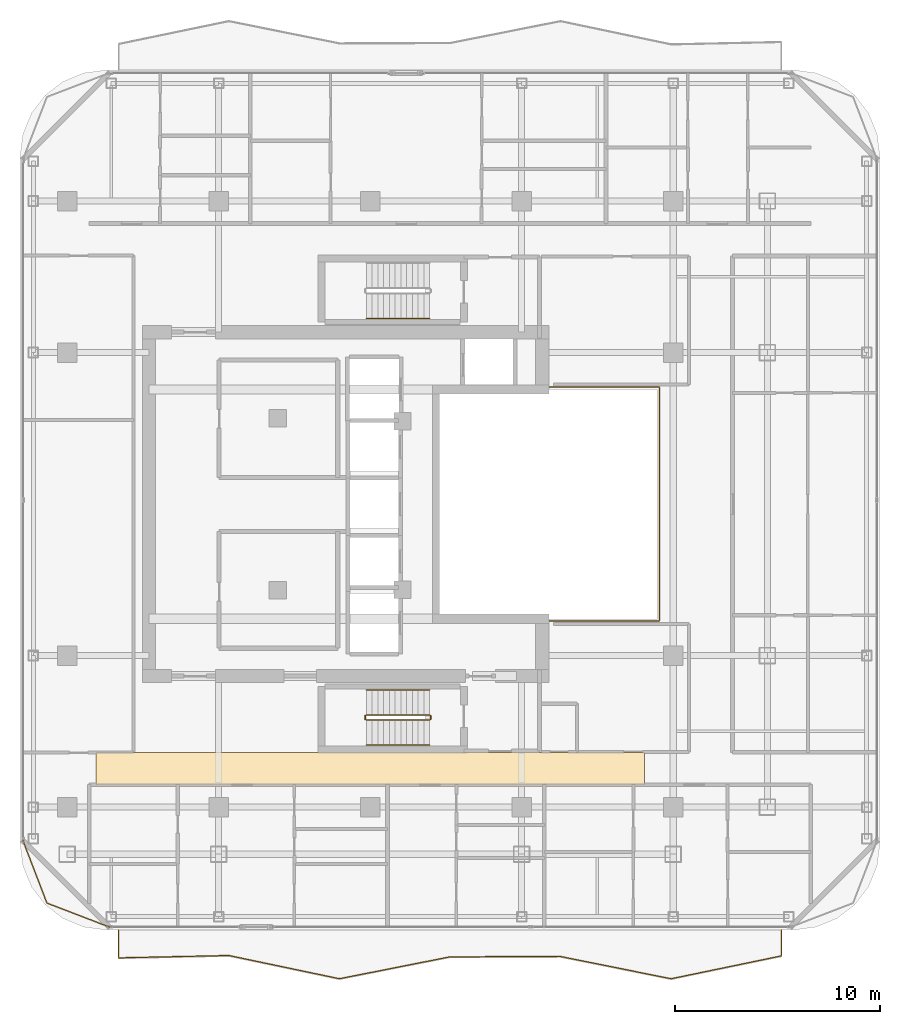
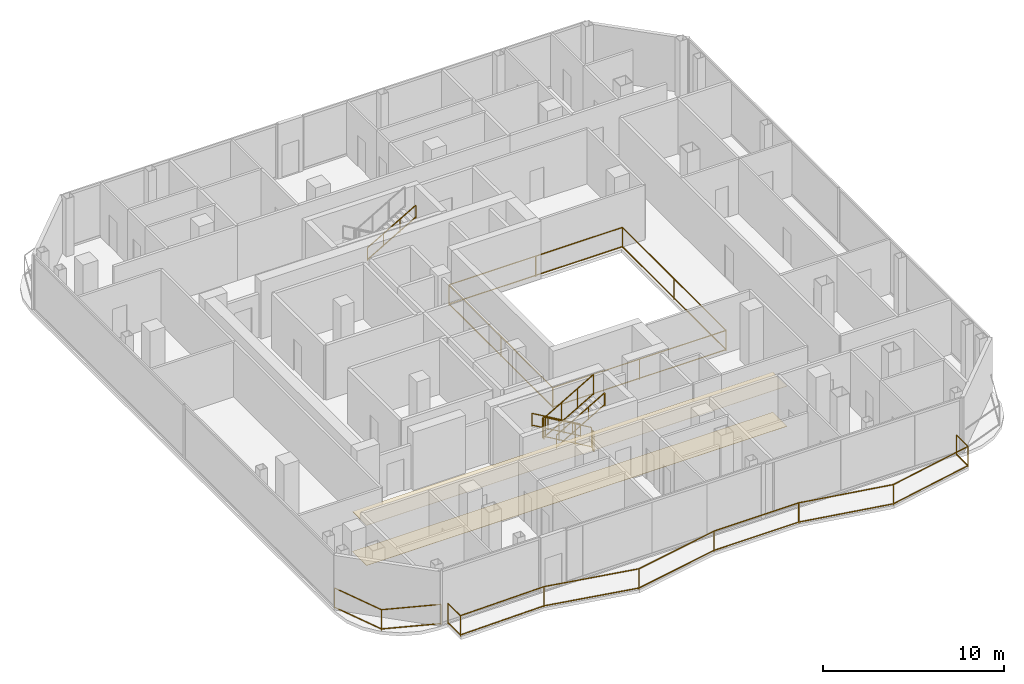
# One storey, part 21 of 23: 10 railings, 2 coverings.
"""IFC4 building model written with IfcOpenShell, lengths in metres."""

import ifcopenshell
import ifcopenshell.guid

model = None  # the IFC model being written
_history = None  # IfcOwnerHistory: only IFC2X3 demands one
_inside = {}  # id of a spatial element -> (the spatial element, [elements in it])
_under = {}  # id of a project, library or spatial element -> (it, [spatial elements below it])
_declared = {}  # id of a project -> (the project, [libraries it declares])
_typed = {}  # id of a type object -> (the type object, [elements of that type])
_made_of = {}  # id of a material, layer set ... -> (it, [elements and type objects made of it])


def new_model(schema):
    """Start an empty IFC model of exactly this schema.

    Asked for "IFC4X3", IfcOpenShell would pick the latest addendum, in which some entities
    have other attributes; the version numbers below select the first issue.
    IFC2X3 requires an IfcOwnerHistory on every rooted entity: one is made here for all.
    """
    global model, _history
    if schema == "IFC4X3":
        model = ifcopenshell.file(schema_version=(4, 3, 0, 0))
    else:
        model = ifcopenshell.file(schema=schema)
    _inside.clear()
    _under.clear()
    _declared.clear()
    _typed.clear()
    _made_of.clear()
    _history = None
    if model.schema == "IFC2X3":
        org = make("IfcOrganization", Name="unknown")
        user = make(
            "IfcPersonAndOrganization",
            ThePerson=make("IfcPerson", FamilyName="unknown"),
            TheOrganization=org,
        )
        app = make(
            "IfcApplication",
            ApplicationDeveloper=org,
            Version="unknown",
            ApplicationFullName="unknown",
            ApplicationIdentifier="unknown",
        )
        _history = make(
            "IfcOwnerHistory",
            OwningUser=user,
            OwningApplication=app,
            ChangeAction="ADDED",
            CreationDate=0,
        )
    return model


def make(cls, **values):
    """One entity of the class cls with the attributes given. An attribute that is None is left unset."""
    return model.create_entity(
        cls, **{name: value for name, value in values.items() if value is not None}
    )


def rooted(cls, **values):
    """An entity with a GlobalId (a new one), such as an element, a storey or a relation."""
    return make(cls, GlobalId=ifcopenshell.guid.new(), OwnerHistory=_history, **values)


def si_unit(unit_type, name, prefix=None):
    """IfcSIUnit, for example si_unit("LENGTHUNIT", "METRE", prefix="MILLI")."""
    return make("IfcSIUnit", UnitType=unit_type, Prefix=prefix, Name=name)


def assignment(units):
    """IfcUnitAssignment: the units of a project."""
    return None if units is None else make("IfcUnitAssignment", Units=units)


def point(xyz):
    """IfcCartesianPoint."""
    return None if xyz is None else make("IfcCartesianPoint", Coordinates=xyz)


def direction(xyz):
    """IfcDirection."""
    return None if xyz is None else make("IfcDirection", DirectionRatios=xyz)


def frame(location, z_axis=None, x_axis=None):
    """IfcAxis2Placement3D, a coordinate frame: its origin and axes. An axis left out is left unset."""
    return make(
        "IfcAxis2Placement3D",
        Location=point(location),
        Axis=direction(z_axis),
        RefDirection=direction(x_axis),
    )


def frame_2d(location, x_axis=None):
    """IfcAxis2Placement2D, a coordinate frame in the plane: its origin and x axis."""
    return make(
        "IfcAxis2Placement2D", Location=point(location), RefDirection=direction(x_axis)
    )


def origin():
    """The frame at (0, 0, 0) with its axes left unset."""
    return frame((0.0, 0.0, 0.0))


def origin_2d():
    """The frame at (0, 0) in the plane with its x axis left unset."""
    return frame_2d((0.0, 0.0))


def place(relative_to, where):
    """IfcLocalPlacement: puts the frame where relative to a parent placement (None: the world)."""
    return make(
        "IfcLocalPlacement", PlacementRelTo=relative_to, RelativePlacement=where
    )


def context(
    kind, dimensions, precision=None, world=None, true_north=None, identifier=None
):
    """IfcGeometricRepresentationContext, for example the 3D "Model" context."""
    return make(
        "IfcGeometricRepresentationContext",
        ContextIdentifier=identifier,
        ContextType=kind,
        CoordinateSpaceDimension=dimensions,
        Precision=precision,
        WorldCoordinateSystem=world,
        TrueNorth=true_north,
    )


def subcontext(parent, identifier, kind, view, scale=None):
    """IfcGeometricRepresentationSubContext, for example "Body" below "Model"."""
    return make(
        "IfcGeometricRepresentationSubContext",
        ContextIdentifier=identifier,
        ContextType=kind,
        ParentContext=parent,
        TargetScale=scale,
        TargetView=view,
    )


def project(units=None, contexts=None):
    """IfcProject with its units and contexts."""
    return rooted(
        "IfcProject",
        Name="project",
        RepresentationContexts=contexts,
        UnitsInContext=assignment(units),
    )


def spatial(cls, under=None, at=None, **own):
    """A site, building, storey or space (cls), placed at a placement, below another one or the project."""
    s = rooted(cls, ObjectPlacement=at, **own)
    if under is not None:
        _under.setdefault(under.id(), (under, []))[1].append(s)
    return s


def polyline(points):
    """IfcPolyline through the points."""
    return make("IfcPolyline", Points=[point(p) for p in points])


def profile(cls, at=None, kind="AREA", **sizes):
    """A parametric profile (cls). Its sizes go by their IFC names, for example OverallWidth=200.0."""
    return make(cls, ProfileType=kind, Position=at, **sizes)


def rectangle(**sizes):
    """IfcRectangleProfileDef."""
    return profile("IfcRectangleProfileDef", **sizes)


def outline(outer, holes=None, kind="AREA"):
    """IfcArbitraryClosedProfileDef: a profile drawn as a closed curve; with holes, ...WithVoids."""
    if holes is None:
        return make("IfcArbitraryClosedProfileDef", ProfileType=kind, OuterCurve=outer)
    return make(
        "IfcArbitraryProfileDefWithVoids",
        ProfileType=kind,
        OuterCurve=outer,
        InnerCurves=holes,
    )


def extrude(swept, where, along, depth):
    """IfcExtrudedAreaSolid: the profile swept, set in the frame where, extruded along a direction by depth."""
    return make(
        "IfcExtrudedAreaSolid",
        SweptArea=swept,
        Position=where,
        ExtrudedDirection=direction(along),
        Depth=depth,
    )


def shape(context_of_items, identifier, shape_type, items):
    """IfcShapeRepresentation: the items that make up one representation, for example the "Body"."""
    return make(
        "IfcShapeRepresentation",
        ContextOfItems=context_of_items,
        RepresentationIdentifier=identifier,
        RepresentationType=shape_type,
        Items=items,
    )


def material(Name=None, Category=None):
    """IfcMaterial."""
    return make("IfcMaterial", Name=Name, Category=Category)


def layer(
    of_material, thickness, ventilated=None, Name=None, Category=None, Priority=None
):
    """IfcMaterialLayer: one layer of a wall or slab, of a material (None: an air gap)."""
    return make(
        "IfcMaterialLayer",
        Material=of_material,
        LayerThickness=thickness,
        IsVentilated=ventilated,
        Name=Name,
        Category=Category,
        Priority=Priority,
    )


def layer_set(layers, Name=None):
    """IfcMaterialLayerSet."""
    return make("IfcMaterialLayerSet", MaterialLayers=layers, LayerSetName=Name)


def made_of(thing, what):
    """Note that an element or type object is made of a material, layer set ...; save() writes the relation."""
    if what is not None:
        _made_of.setdefault(what.id(), (what, []))[1].append(thing)
    return thing


def type_object(cls, material=None, **own):
    """A type object (cls), such as IfcWallType, which elements share."""
    return made_of(rooted(cls, **own), material)


def element(
    cls,
    number,
    at=None,
    inside=None,
    cuts=None,
    type_object=None,
    material=None,
    context=None,
    identifier="Body",
    shape_type=None,
    held_by="IfcProductDefinitionShape",
    body=None,
    shapes=None,
    **own,
):
    """One element of the class cls, such as IfcWall. Its Tag is "e" and its number.

    at: its placement. inside: the storey or other place that contains it. cuts: it is an
    opening in that element (IfcRelVoidsElement). A single representation is given by context,
    identifier, shape_type and body (its items); several are given by shapes. held_by: the class
    of the entity that holds the representations. save() writes the other relations.
    """
    e = rooted(cls, Tag="e%d" % number, ObjectPlacement=at, **own)
    if body is not None:
        shapes = [shape(context, identifier, shape_type, body)]
    if shapes is not None:
        e.Representation = make(held_by, Representations=shapes)
    if inside is not None:
        _inside.setdefault(inside.id(), (inside, []))[1].append(e)
    if cuts is not None:
        rooted(
            "IfcRelVoidsElement", RelatingBuildingElement=cuts, RelatedOpeningElement=e
        )
    if type_object is not None:
        _typed.setdefault(type_object.id(), (type_object, []))[1].append(e)
    return made_of(e, material)


def aggregate(whole, parts):
    """IfcRelAggregates: a whole, such as a stair, and the parts it consists of."""
    return rooted("IfcRelAggregates", RelatingObject=whole, RelatedObjects=parts)


def save(model, path):
    """Write the relations noted so far, then the file.

    IfcRelAggregates (storeys below a building ...), IfcRelContainedInSpatialStructure (elements
    in a storey), IfcRelDefinesByType, IfcRelAssociatesMaterial and IfcRelDeclares: one each for
    every whole, place, type object, material and project.
    """
    for whole, parts in _under.values():
        aggregate(whole, parts)
    for where, things in _inside.values():
        rooted(
            "IfcRelContainedInSpatialStructure",
            RelatedElements=things,
            RelatingStructure=where,
        )
    for kind, things in _typed.values():
        rooted("IfcRelDefinesByType", RelatedObjects=things, RelatingType=kind)
    for what, things in _made_of.values():
        rooted("IfcRelAssociatesMaterial", RelatedObjects=things, RelatingMaterial=what)
    for by, libraries in _declared.values():
        rooted("IfcRelDeclares", RelatingContext=by, RelatedDefinitions=libraries)
    model.write(path)


model = new_model("IFC4")

# Units and contexts
model_context = context("Model", 3, precision=1e-05, world=origin(), true_north=direction((0.0, 1.0)))
body_context = subcontext(model_context, "Body", "Model", "MODEL_VIEW")
ifc_project = project(units=[si_unit("LENGTHUNIT", "METRE"), si_unit("AREAUNIT", "SQUARE_METRE"), si_unit("VOLUMEUNIT", "CUBIC_METRE"), si_unit("PLANEANGLEUNIT", "RADIAN"), si_unit("MASSUNIT", "GRAM", prefix="KILO")], contexts=[model_context])

# Site, building, storey
site_placement = place(None, origin())
site = spatial("IfcSite", under=ifc_project, at=site_placement, CompositionType="ELEMENT")
building_placement = place(site_placement, origin())
building = spatial("IfcBuilding", under=site, at=building_placement, Name="Khorvyn Point Tower", CompositionType="ELEMENT")
storey_placement = place(building_placement, frame((0.0, 0.0, 274.199951171875)))
storey = spatial("IfcBuildingStorey", under=building, at=storey_placement, Name="L67", CompositionType="ELEMENT", Elevation=274.199951171875)

# Railings
ifc_material_1 = material(Name="Stainless steel 1.4401 and laminated glass", Category="steel")
railing_type_1 = type_object("IfcRailingType", Name="Crystal Atrium Smoke-Rated Perimeter Guardrail 1400", PredefinedType="GUARDRAIL", material=ifc_material_1)
railing_1_placement = place(storey_placement, frame((3.080078125, -5.719970703125, 0.0)))
element("IfcRailing", 1, at=railing_1_placement, inside=storey, type_object=railing_type_1, Name="L67 Crystal Atrium Perimeter Guardrail", PredefinedType="GUARDRAIL", context=body_context, shape_type="SweptSolid", body=[
    extrude(rectangle(XDim=0.048095703125, YDim=0.048095703125, at=origin_2d()), frame((0.0, 0.0, 1.3759765625), z_axis=(1.0, 0.0, 0.0), x_axis=(0.0, 1.0, 0.0)), (0.0, 0.0, 1.0), 11.0400390625),
    extrude(rectangle(XDim=0.048095703125, YDim=0.048095703125, at=origin_2d()), frame((0.0, 0.0, 0.080078125), z_axis=(1.0, 0.0, 0.0), x_axis=(0.0, 1.0, 0.0)), (0.0, 0.0, 1.0), 11.0400390625),
    extrude(rectangle(XDim=0.048095703125, YDim=0.048095703125, at=origin_2d()), frame((11.0400390625, 0.0, 1.3759765625), z_axis=(0.0, 1.0, 0.0), x_axis=(-1.0, 0.0, 0.0)), (0.0, 0.0, 1.0), 11.43994140625),
    extrude(rectangle(XDim=0.048095703125, YDim=0.048095703125, at=origin_2d()), frame((11.0400390625, 0.0, 0.080078125), z_axis=(0.0, 1.0, 0.0), x_axis=(-1.0, 0.0, 0.0)), (0.0, 0.0, 1.0), 11.43994140625),
    extrude(rectangle(XDim=0.048095703125, YDim=0.048095703125, at=origin_2d()), frame((11.0400390625, 11.43994140625, 1.3759765625), z_axis=(-1.0, 0.0, 0.0), x_axis=(0.0, -1.0, 0.0)), (0.0, 0.0, 1.0), 11.0400390625),
    extrude(rectangle(XDim=0.048095703125, YDim=0.048095703125, at=origin_2d()), frame((11.0400390625, 11.43994140625, 0.080078125), z_axis=(-1.0, 0.0, 0.0), x_axis=(0.0, -1.0, 0.0)), (0.0, 0.0, 1.0), 11.0400390625),
    extrude(rectangle(XDim=0.048095703125, YDim=0.048095703125, at=origin_2d()), frame((0.0, 11.43994140625, 1.3759765625), z_axis=(0.0, -1.0, 0.0), x_axis=(1.0, 0.0, 0.0)), (0.0, 0.0, 1.0), 11.409912109375),
    extrude(rectangle(XDim=0.048095703125, YDim=0.048095703125, at=origin_2d()), frame((0.0, 11.43994140625, 0.080078125), z_axis=(0.0, -1.0, 0.0), x_axis=(1.0, 0.0, 0.0)), (0.0, 0.0, 1.0), 11.409912109375),
    extrude(rectangle(XDim=0.0419921875, YDim=0.0419921875, at=origin_2d()), origin(), (0.0, 0.0, 1.0), 1.351806640625),
    extrude(rectangle(XDim=0.0419921875, YDim=0.0419921875, at=origin_2d()), frame((5.52001953125, 0.0, 0.0)), (0.0, 0.0, 1.0), 1.351806640625),
    extrude(rectangle(XDim=0.0419921875, YDim=0.0419921875, at=origin_2d()), frame((11.0400390625, 0.0, 0.0)), (0.0, 0.0, 1.0), 1.351806640625),
    extrude(rectangle(XDim=0.0419921875, YDim=0.0419921875, at=origin_2d()), frame((11.0400390625, 5.719970703125, 0.0)), (0.0, 0.0, 1.0), 1.351806640625),
    extrude(rectangle(XDim=0.0419921875, YDim=0.0419921875, at=origin_2d()), frame((11.0400390625, 11.43994140625, 0.0)), (0.0, 0.0, 1.0), 1.351806640625),
    extrude(rectangle(XDim=0.0419921875, YDim=0.0419921875, at=origin_2d()), frame((5.52001953125, 11.43994140625, 0.0)), (0.0, 0.0, 1.0), 1.351806640625),
    extrude(rectangle(XDim=0.0419921875, YDim=0.0419921875, at=origin_2d()), frame((0.0, 11.43994140625, 0.0)), (0.0, 0.0, 1.0), 1.351806640625),
    extrude(rectangle(XDim=0.0419921875, YDim=0.0419921875, at=origin_2d()), frame((0.0, 5.73486328125, 0.0)), (0.0, 0.0, 1.0), 1.351806640625),
    extrude(rectangle(XDim=0.0419921875, YDim=0.0419921875, at=origin_2d()), frame((0.0, 0.030029296875, 0.0)), (0.0, 0.0, 1.0), 1.351806640625),
])
ifc_material_2 = material(Name="Anodised aluminium 6063-T6 and laminated safety glass", Category="aluminium")
railing_type_2 = type_object("IfcRailingType", Name="Laminated Glass and Aluminium Balcony Guardrail 1400", PredefinedType="BALUSTRADE", material=ifc_material_2)
railing_2_placement = place(storey_placement, frame((-16.974365234375, -16.386474609375, 0.0)))
element("IfcRailing", 2, at=railing_2_placement, inside=storey, type_object=railing_type_2, Name="L67 Rounded Corner Edge Guardrail SW", PredefinedType="BALUSTRADE", context=body_context, shape_type="SweptSolid", body=[
    extrude(rectangle(XDim=0.048095703125, YDim=0.048095703125, at=origin_2d()), frame((0.0, 0.0, 1.3759765625), z_axis=(0.358367799998, -0.933580483903, 0.0), x_axis=(0.933580483903, 0.358367799998, 0.0)), (0.0, 0.0, 1.0), 3.319091796875),
    extrude(rectangle(XDim=0.048095703125, YDim=0.048095703125, at=origin_2d()), frame((0.0, 0.0, 0.080078125), z_axis=(0.358367799998, -0.933580483903, 0.0), x_axis=(0.933580483903, 0.358367799998, 0.0)), (0.0, 0.0, 1.0), 3.319091796875),
    extrude(rectangle(XDim=0.048095703125, YDim=0.048095703125, at=origin_2d()), frame((1.189453125, -3.0986328125, 1.3759765625), z_axis=(0.933595647299, -0.358328295484, 0.0), x_axis=(0.358328295484, 0.933595647299, 0.0)), (0.0, 0.0, 1.0), 3.31884765625),
    extrude(rectangle(XDim=0.048095703125, YDim=0.048095703125, at=origin_2d()), frame((1.189453125, -3.0986328125, 0.080078125), z_axis=(0.933595647299, -0.358328295484, 0.0), x_axis=(0.358328295484, 0.933595647299, 0.0)), (0.0, 0.0, 1.0), 3.31884765625),
    extrude(rectangle(XDim=0.0419921875, YDim=0.0419921875, at=origin_2d()), origin(), (0.0, 0.0, 1.0), 1.351806640625),
    extrude(rectangle(XDim=0.0419921875, YDim=0.0419921875, at=origin_2d()), frame((1.189453125, -3.0986328125, 0.0)), (0.0, 0.0, 1.0), 1.351806640625),
    extrude(rectangle(XDim=0.0419921875, YDim=0.0419921875, at=origin_2d()), frame((4.287841796875, -4.287841796875, 0.0)), (0.0, 0.0, 1.0), 1.351806640625),
])
railing_3_placement = place(storey_placement, frame((-12.300048828125, -20.800048828125, 0.0)))
element("IfcRailing", 3, at=railing_3_placement, inside=storey, type_object=railing_type_2, Name="L67 South Balcony Guardrail", PredefinedType="BALUSTRADE", context=body_context, shape_type="SweptSolid", body=[
    extrude(rectangle(XDim=0.048095703125, YDim=0.048095703125, at=origin_2d()), frame((0.0, 0.0, 1.3759765625), z_axis=(0.0, -1.0, 0.0), x_axis=(1.0, 0.0, 0.0)), (0.0, 0.0, 1.0), 1.362548828125),
    extrude(rectangle(XDim=0.048095703125, YDim=0.048095703125, at=origin_2d()), frame((0.0, 0.0, 0.080078125), z_axis=(0.0, -1.0, 0.0), x_axis=(1.0, 0.0, 0.0)), (0.0, 0.0, 1.0), 1.362548828125),
    extrude(rectangle(XDim=0.048095703125, YDim=0.048095703125, at=origin_2d()), frame((0.0, -1.362548828125, 1.3759765625), z_axis=(0.999770466456, 0.021424621416, 0.0), x_axis=(-0.021424621416, 0.999770466456, 0.0)), (0.0, 0.0, 1.0), 5.4013671875),
    extrude(rectangle(XDim=0.048095703125, YDim=0.048095703125, at=origin_2d()), frame((0.0, -1.362548828125, 0.080078125), z_axis=(0.999770466456, 0.021424621416, 0.0), x_axis=(-0.021424621416, 0.999770466456, 0.0)), (0.0, 0.0, 1.0), 5.4013671875),
    extrude(rectangle(XDim=0.048095703125, YDim=0.048095703125, at=origin_2d()), frame((5.400146484375, -1.246826171875, 1.3759765625), z_axis=(0.978633735831, -0.205611310715, 0.0), x_axis=(0.205611310715, 0.978633735831, 0.0)), (0.0, 0.0, 1.0), 5.517822265625),
    extrude(rectangle(XDim=0.048095703125, YDim=0.048095703125, at=origin_2d()), frame((5.400146484375, -1.246826171875, 0.080078125), z_axis=(0.978633735831, -0.205611310715, 0.0), x_axis=(0.205611310715, 0.978633735831, 0.0)), (0.0, 0.0, 1.0), 5.517822265625),
    extrude(rectangle(XDim=0.048095703125, YDim=0.048095703125, at=origin_2d()), frame((10.800048828125, -2.38134765625, 1.3759765625), z_axis=(0.980933871194, 0.194341813165, 0.0), x_axis=(-0.194341813165, 0.980933871194, 0.0)), (0.0, 0.0, 1.0), 5.5048828125),
    extrude(rectangle(XDim=0.048095703125, YDim=0.048095703125, at=origin_2d()), frame((10.800048828125, -2.38134765625, 0.080078125), z_axis=(0.980933871194, 0.194341813165, 0.0), x_axis=(-0.194341813165, 0.980933871194, 0.0)), (0.0, 0.0, 1.0), 5.5048828125),
    extrude(rectangle(XDim=0.048095703125, YDim=0.048095703125, at=origin_2d()), frame((16.199951171875, -1.3115234375, 1.3759765625), z_axis=(0.999995274435, 0.003074265503, 0.0), x_axis=(-0.003074265503, 0.999995274435, 0.0)), (0.0, 0.0, 1.0), 5.400146484375),
    extrude(rectangle(XDim=0.048095703125, YDim=0.048095703125, at=origin_2d()), frame((16.199951171875, -1.3115234375, 0.080078125), z_axis=(0.999995274435, 0.003074265503, 0.0), x_axis=(-0.003074265503, 0.999995274435, 0.0)), (0.0, 0.0, 1.0), 5.400146484375),
    extrude(rectangle(XDim=0.048095703125, YDim=0.048095703125, at=origin_2d()), frame((21.60009765625, -1.294921875, 1.3759765625), z_axis=(0.980320704809, -0.197411538983, 0.0), x_axis=(0.197411538983, 0.980320704809, 0.0)), (0.0, 0.0, 1.0), 5.50830078125),
    extrude(rectangle(XDim=0.048095703125, YDim=0.048095703125, at=origin_2d()), frame((21.60009765625, -1.294921875, 0.080078125), z_axis=(0.980320704809, -0.197411538983, 0.0), x_axis=(0.197411538983, 0.980320704809, 0.0)), (0.0, 0.0, 1.0), 5.50830078125),
    extrude(rectangle(XDim=0.048095703125, YDim=0.048095703125, at=origin_2d()), frame((27.0, -2.38232421875, 1.3759765625), z_axis=(0.979166731109, 0.20305790477, 0.0), x_axis=(-0.20305790477, 0.979166731109, 0.0)), (0.0, 0.0, 1.0), 5.51513671875),
    extrude(rectangle(XDim=0.048095703125, YDim=0.048095703125, at=origin_2d()), frame((27.0, -2.38232421875, 0.080078125), z_axis=(0.979166731109, 0.20305790477, 0.0), x_axis=(-0.20305790477, 0.979166731109, 0.0)), (0.0, 0.0, 1.0), 5.51513671875),
    extrude(rectangle(XDim=0.048095703125, YDim=0.048095703125, at=origin_2d()), frame((32.400146484375, -1.262451171875, 1.3759765625), z_axis=(0.0, 1.0, 0.0), x_axis=(-1.0, 0.0, 0.0)), (0.0, 0.0, 1.0), 1.262451171875),
    extrude(rectangle(XDim=0.048095703125, YDim=0.048095703125, at=origin_2d()), frame((32.400146484375, -1.262451171875, 0.080078125), z_axis=(0.0, 1.0, 0.0), x_axis=(-1.0, 0.0, 0.0)), (0.0, 0.0, 1.0), 1.262451171875),
    extrude(rectangle(XDim=0.0419921875, YDim=0.0419921875, at=origin_2d()), origin(), (0.0, 0.0, 1.0), 1.351806640625),
    extrude(rectangle(XDim=0.0419921875, YDim=0.0419921875, at=origin_2d()), frame((0.0, -1.362548828125, 0.0)), (0.0, 0.0, 1.0), 1.351806640625),
    extrude(rectangle(XDim=0.0419921875, YDim=0.0419921875, at=origin_2d()), frame((5.400146484375, -1.246826171875, 0.0)), (0.0, 0.0, 1.0), 1.351806640625),
    extrude(rectangle(XDim=0.0419921875, YDim=0.0419921875, at=origin_2d()), frame((10.800048828125, -2.38134765625, 0.0)), (0.0, 0.0, 1.0), 1.351806640625),
    extrude(rectangle(XDim=0.0419921875, YDim=0.0419921875, at=origin_2d()), frame((16.199951171875, -1.3115234375, 0.0)), (0.0, 0.0, 1.0), 1.351806640625),
    extrude(rectangle(XDim=0.0419921875, YDim=0.0419921875, at=origin_2d()), frame((21.60009765625, -1.294921875, 0.0)), (0.0, 0.0, 1.0), 1.351806640625),
    extrude(rectangle(XDim=0.0419921875, YDim=0.0419921875, at=origin_2d()), frame((27.0, -2.38232421875, 0.0)), (0.0, 0.0, 1.0), 1.351806640625),
    extrude(rectangle(XDim=0.0419921875, YDim=0.0419921875, at=origin_2d()), frame((32.400146484375, -1.262451171875, 0.0)), (0.0, 0.0, 1.0), 1.351806640625),
    extrude(rectangle(XDim=0.0419921875, YDim=0.0419921875, at=origin_2d()), frame((32.400146484375, 0.0, 0.0)), (0.0, 0.0, 1.0), 1.351806640625),
])

# Coverings
ifc_material_3 = material(Name="Mineral-fibre acoustic ceiling board", Category="gypsum")
ifc_layer_1 = layer(ifc_material_3, 0.02001953125)
ifc_layer_set_1 = layer_set([ifc_layer_1], Name="Perforated Mineral-Fibre Acoustic Suspended Ceiling 20")
covering_type_1 = type_object("IfcCoveringType", Name="Perforated Mineral-Fibre Acoustic Suspended Ceiling 20", PredefinedType="CEILING", material=ifc_layer_set_1)
covering_1_placement = place(storey_placement, frame((0.0, 0.0, 2.699951171875)))
element("IfcCovering", 4, at=covering_1_placement, inside=storey, type_object=covering_type_1, Name="L67 South Corridor Acoustic Ceiling", PredefinedType="CEILING", context=body_context, shape_type="SweptSolid", body=[
    extrude(outline(polyline([(-13.39990234375, -13.7099609375), (13.39990234375, -13.7099609375), (13.39990234375, -12.139892578125), (-13.39990234375, -12.139892578125), (-13.39990234375, -13.7099609375)])), origin(), (0.0, 0.0, 1.0), 0.02001953125),
])
ifc_material_4 = material(Name="Vitrified porcelain terrazzo tile", Category="ceramic")
ifc_layer_2 = layer(ifc_material_4, 0.01806640625)
ifc_layer_set_2 = layer_set([ifc_layer_2], Name="Porcelain Terrazzo Corridor Floor Finish Tile 18")
covering_type_2 = type_object("IfcCoveringType", Name="Porcelain Terrazzo Corridor Floor Finish Tile 18", PredefinedType="FLOORING", material=ifc_layer_set_2)
covering_2_placement = place(storey_placement, origin())
element("IfcCovering", 5, at=covering_2_placement, inside=storey, type_object=covering_type_2, Name="L67 South Corridor Terrazzo Flooring", PredefinedType="FLOORING", context=body_context, shape_type="SweptSolid", body=[
    extrude(outline(polyline([(-13.39990234375, -13.7099609375), (13.39990234375, -13.7099609375), (13.39990234375, -12.139892578125), (-13.39990234375, -12.139892578125), (-13.39990234375, -13.7099609375)])), origin(), (0.0, 0.0, 1.0), 0.01806640625),
])

# Railings
ifc_material_5 = material(Name="Stainless steel 1.4301", Category="steel")
railing_type_3 = type_object("IfcRailingType", Name="Stainless Steel 304 Stair Pitch Handrail 900", PredefinedType="HANDRAIL", material=ifc_material_5)
railing_4_placement = place(storey_placement, frame((2.89990234375, -9.070068359375, 0.16259765625)))
element("IfcRailing", 6, at=railing_4_placement, inside=storey, type_object=railing_type_3, Name="L67 ST-01 stair handrail 1", PredefinedType="HANDRAIL", context=body_context, shape_type="SweptSolid", body=[
    extrude(rectangle(XDim=0.048095703125, YDim=0.048095703125, at=origin_2d()), frame((0.0, 0.0, 0.8759765625), z_axis=(-0.864903211148, 0.0, 0.501938676878), x_axis=(0.0, -1.0, 0.0)), (0.0, 0.0, 1.0), 3.560791015625),
    extrude(rectangle(XDim=0.048095703125, YDim=0.048095703125, at=origin_2d()), frame((0.0, 0.0, 0.080078125), z_axis=(-0.864903211148, 0.0, 0.501938676878), x_axis=(0.0, -1.0, 0.0)), (0.0, 0.0, 1.0), 3.560791015625),
    extrude(rectangle(XDim=0.0419921875, YDim=0.0419921875, at=origin_2d()), origin(), (0.0, 0.0, 1.0), 0.851806640625),
    extrude(rectangle(XDim=0.0419921875, YDim=0.0419921875, at=origin_2d()), frame((-1.026611328125, 0.0, 0.595703125)), (0.0, 0.0, 1.0), 0.851806640625),
    extrude(rectangle(XDim=0.0419921875, YDim=0.0419921875, at=origin_2d()), frame((-2.05322265625, 0.0, 1.191650390625)), (0.0, 0.0, 1.0), 0.851806640625),
    extrude(rectangle(XDim=0.0419921875, YDim=0.0419921875, at=origin_2d()), frame((-3.079833984375, 0.0, 1.787353515625)), (0.0, 0.0, 1.0), 0.851806640625),
])
for number, where, name in (
    (7, (-0.179931640625, -11.77001953125, 2.112548828125), "L67 ST-01 stair handrail 2"),
    (8, (-0.179931640625, 9.070068359375, 2.112548828125), "L67 ST-02 stair handrail 2"),
):
    element("IfcRailing", number, at=place(storey_placement, frame(where)), inside=storey, type_object=railing_type_3, Name=name, PredefinedType="HANDRAIL", context=body_context, shape_type="SweptSolid", body=[
        extrude(rectangle(XDim=0.048095703125, YDim=0.048095703125, at=origin_2d()), frame((0.0, 0.0, 0.8759765625), z_axis=(0.864873446163, 0.0, 0.501989962173), x_axis=(0.0, 1.0, 0.0)), (0.0, 0.0, 1.0), 3.56103515625),
        extrude(rectangle(XDim=0.048095703125, YDim=0.048095703125, at=origin_2d()), frame((0.0, 0.0, 0.080078125), z_axis=(0.864873446163, 0.0, 0.501989962173), x_axis=(0.0, 1.0, 0.0)), (0.0, 0.0, 1.0), 3.56103515625),
        extrude(rectangle(XDim=0.0419921875, YDim=0.0419921875, at=origin_2d()), origin(), (0.0, 0.0, 1.0), 0.851806640625),
        extrude(rectangle(XDim=0.0419921875, YDim=0.0419921875, at=origin_2d()), frame((1.026611328125, 0.0, 0.595947265625)), (0.0, 0.0, 1.0), 0.851806640625),
        extrude(rectangle(XDim=0.0419921875, YDim=0.0419921875, at=origin_2d()), frame((2.05322265625, 0.0, 1.191650390625)), (0.0, 0.0, 1.0), 0.851806640625),
        extrude(rectangle(XDim=0.0419921875, YDim=0.0419921875, at=origin_2d()), frame((3.079833984375, 0.0, 1.78759765625)), (0.0, 0.0, 1.0), 0.851806640625),
    ])
railing_type_4 = type_object("IfcRailingType", Name="Stainless Steel 304 Stair Well Guardrail 1400", PredefinedType="GUARDRAIL", material=ifc_material_5)
railing_5_placement = place(storey_placement, frame((2.89990234375, -10.2900390625, 0.16259765625)))
element("IfcRailing", 9, at=railing_5_placement, inside=storey, type_object=railing_type_4, Name="L67 ST-01 stair guard 1", PredefinedType="GUARDRAIL", context=body_context, shape_type="SweptSolid", body=[
    extrude(rectangle(XDim=0.048095703125, YDim=0.048095703125, at=origin_2d()), frame((0.0, 0.0, 1.3759765625), z_axis=(-0.864903211148, 0.0, 0.501938676878), x_axis=(0.0, -1.0, 0.0)), (0.0, 0.0, 1.0), 3.560791015625),
    extrude(rectangle(XDim=0.048095703125, YDim=0.048095703125, at=origin_2d()), frame((0.0, 0.0, 0.080078125), z_axis=(-0.864903211148, 0.0, 0.501938676878), x_axis=(0.0, -1.0, 0.0)), (0.0, 0.0, 1.0), 3.560791015625),
    extrude(rectangle(XDim=0.0419921875, YDim=0.0419921875, at=origin_2d()), origin(), (0.0, 0.0, 1.0), 1.351806640625),
    extrude(rectangle(XDim=0.0419921875, YDim=0.0419921875, at=origin_2d()), frame((-1.026611328125, 0.0, 0.595703125)), (0.0, 0.0, 1.0), 1.351806640625),
    extrude(rectangle(XDim=0.0419921875, YDim=0.0419921875, at=origin_2d()), frame((-2.05322265625, 0.0, 1.191650390625)), (0.0, 0.0, 1.0), 1.351806640625),
    extrude(rectangle(XDim=0.0419921875, YDim=0.0419921875, at=origin_2d()), frame((-3.079833984375, 0.0, 1.787353515625)), (0.0, 0.0, 1.0), 1.351806640625),
])
railing_6_placement = place(storey_placement, frame((-0.22998046875, -10.340087890625, 1.949951171875)))
element("IfcRailing", 10, at=railing_6_placement, inside=storey, type_object=railing_type_4, Name="L67 ST-01 stair guard 2", PredefinedType="GUARDRAIL", context=body_context, shape_type="SweptSolid", body=[
    extrude(rectangle(XDim=0.048095703125, YDim=0.048095703125, at=origin_2d()), frame((0.0, 0.0, 1.3759765625), z_axis=(0.0, -1.0, 0.0), x_axis=(1.0, 0.0, 0.0)), (0.0, 0.0, 1.0), 0.159912109375),
    extrude(rectangle(XDim=0.048095703125, YDim=0.048095703125, at=origin_2d()), frame((0.0, 0.0, 0.080078125), z_axis=(0.0, -1.0, 0.0), x_axis=(1.0, 0.0, 0.0)), (0.0, 0.0, 1.0), 0.159912109375),
    extrude(rectangle(XDim=0.0419921875, YDim=0.0419921875, at=origin_2d()), origin(), (0.0, 0.0, 1.0), 1.351806640625),
    extrude(rectangle(XDim=0.0419921875, YDim=0.0419921875, at=origin_2d()), frame((0.0, -0.159912109375, 0.0)), (0.0, 0.0, 1.0), 1.351806640625),
])
railing_7_placement = place(storey_placement, frame((-0.179931640625, -10.550048828125, 2.112548828125)))
element("IfcRailing", 11, at=railing_7_placement, inside=storey, type_object=railing_type_4, Name="L67 ST-01 stair guard 3", PredefinedType="GUARDRAIL", context=body_context, shape_type="SweptSolid", body=[
    extrude(rectangle(XDim=0.048095703125, YDim=0.048095703125, at=origin_2d()), frame((0.0, 0.0, 1.3759765625), z_axis=(0.864873446163, 0.0, 0.501989962173), x_axis=(0.0, 1.0, 0.0)), (0.0, 0.0, 1.0), 3.56103515625),
    extrude(rectangle(XDim=0.048095703125, YDim=0.048095703125, at=origin_2d()), frame((0.0, 0.0, 0.080078125), z_axis=(0.864873446163, 0.0, 0.501989962173), x_axis=(0.0, 1.0, 0.0)), (0.0, 0.0, 1.0), 3.56103515625),
    extrude(rectangle(XDim=0.0419921875, YDim=0.0419921875, at=origin_2d()), origin(), (0.0, 0.0, 1.0), 1.351806640625),
    extrude(rectangle(XDim=0.0419921875, YDim=0.0419921875, at=origin_2d()), frame((1.026611328125, 0.0, 0.595947265625)), (0.0, 0.0, 1.0), 1.351806640625),
    extrude(rectangle(XDim=0.0419921875, YDim=0.0419921875, at=origin_2d()), frame((2.05322265625, 0.0, 1.191650390625)), (0.0, 0.0, 1.0), 1.351806640625),
    extrude(rectangle(XDim=0.0419921875, YDim=0.0419921875, at=origin_2d()), frame((3.079833984375, 0.0, 1.78759765625)), (0.0, 0.0, 1.0), 1.351806640625),
])
railing_8_placement = place(storey_placement, frame((2.949951171875, -10.340087890625, 0.0)))
element("IfcRailing", 12, at=railing_8_placement, inside=storey, type_object=railing_type_4, Name="L67 ST-01 stair guard 4", PredefinedType="GUARDRAIL", context=body_context, shape_type="SweptSolid", body=[
    extrude(rectangle(XDim=0.048095703125, YDim=0.048095703125, at=origin_2d()), frame((0.0, 0.0, 1.3759765625), z_axis=(0.0, -1.0, 0.0), x_axis=(1.0, 0.0, 0.0)), (0.0, 0.0, 1.0), 0.159912109375),
    extrude(rectangle(XDim=0.048095703125, YDim=0.048095703125, at=origin_2d()), frame((0.0, 0.0, 0.080078125), z_axis=(0.0, -1.0, 0.0), x_axis=(1.0, 0.0, 0.0)), (0.0, 0.0, 1.0), 0.159912109375),
    extrude(rectangle(XDim=0.0419921875, YDim=0.0419921875, at=origin_2d()), origin(), (0.0, 0.0, 1.0), 1.351806640625),
    extrude(rectangle(XDim=0.0419921875, YDim=0.0419921875, at=origin_2d()), frame((0.0, -0.159912109375, 0.0)), (0.0, 0.0, 1.0), 1.351806640625),
])

save(model, "model.ifc")
